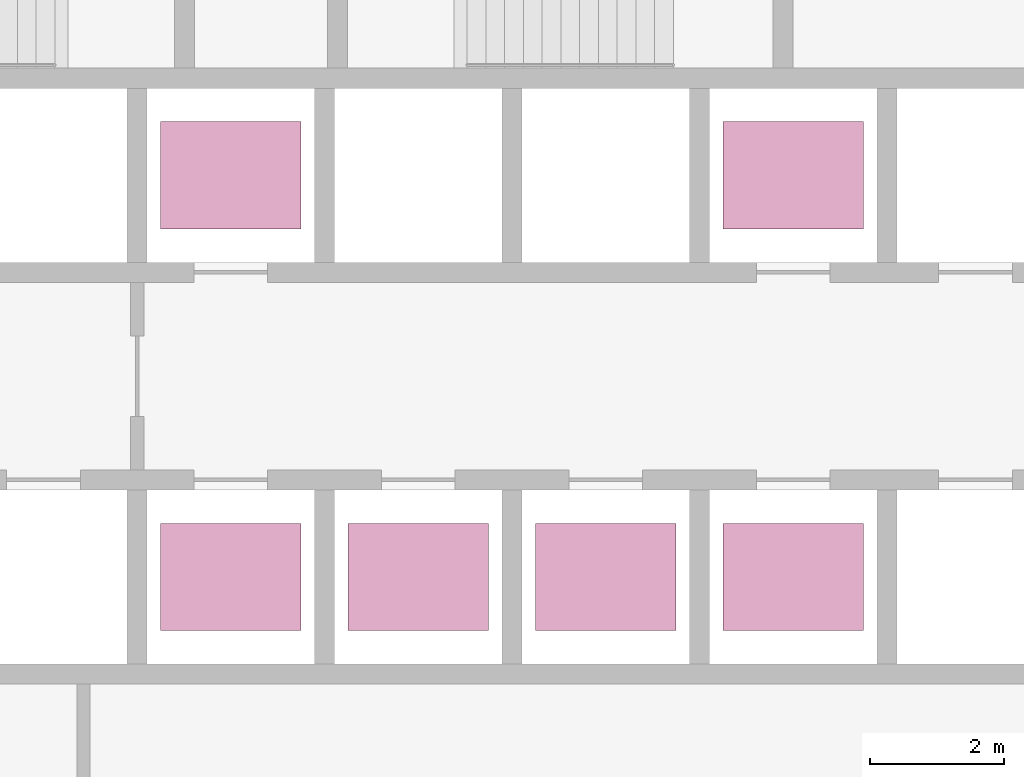
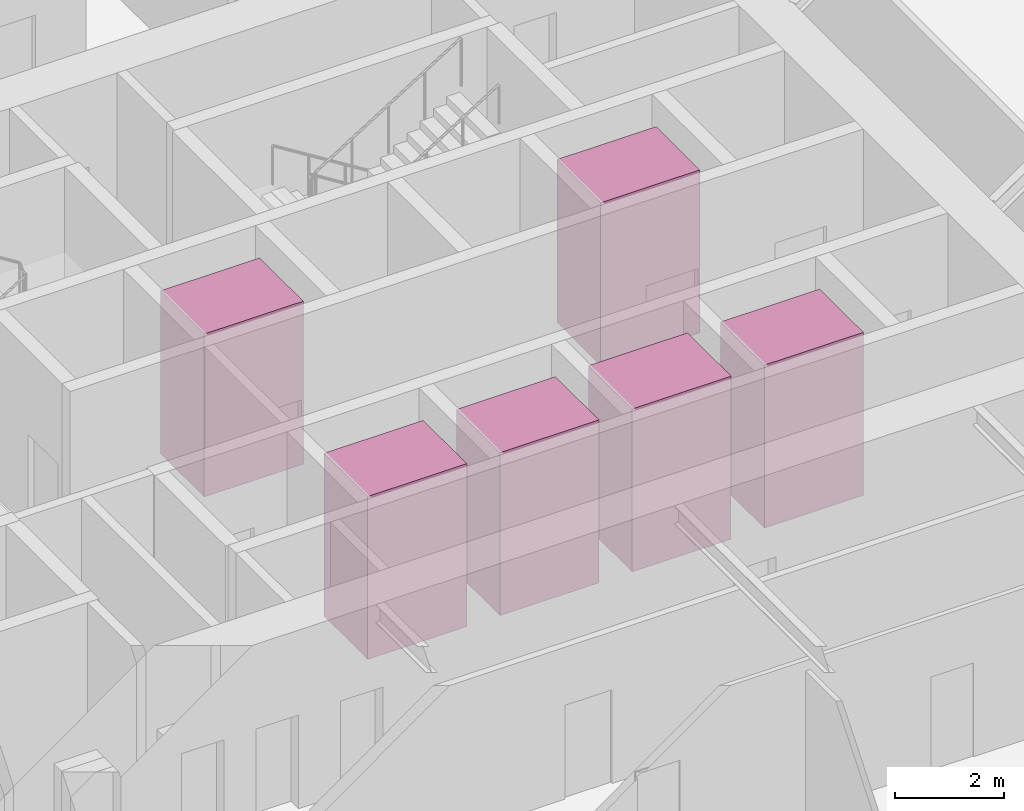
# One storey, part 26 of 26: 6 transport elements.
"""IFC4 building model written with IfcOpenShell, lengths in metres."""

from ifc_helpers import new_model, si_unit, direction, frame, origin, origin_2d, place, context, subcontext, project, spatial, rectangle, extrude, material, type_object, element, save


model = new_model("IFC4")

# Units and contexts
model_context = context("Model", 3, precision=1e-05, world=origin(), true_north=direction((0.0, 1.0)))
body_context = subcontext(model_context, "Body", "Model", "MODEL_VIEW")
ifc_project = project(units=[si_unit("LENGTHUNIT", "METRE"), si_unit("AREAUNIT", "SQUARE_METRE"), si_unit("VOLUMEUNIT", "CUBIC_METRE"), si_unit("PLANEANGLEUNIT", "RADIAN"), si_unit("MASSUNIT", "GRAM", prefix="KILO")], contexts=[model_context])

# Site, building, storey
site_placement = place(None, origin())
site = spatial("IfcSite", under=ifc_project, at=site_placement, CompositionType="ELEMENT")
building_placement = place(site_placement, origin())
building = spatial("IfcBuilding", under=site, at=building_placement, Name="Firuza Gate Tower and Library", CompositionType="ELEMENT")
storey_placement = place(building_placement, frame((0.0, 0.0, 77.800048828125)))
storey = spatial("IfcBuildingStorey", under=building, at=storey_placement, Name="L17", CompositionType="ELEMENT", Elevation=77.800048828125)

# Transport elements
ifc_material = material(Name="Stainless steel and glass", Category="steel")
transport_element_type = type_object("IfcTransportElementType", Name="Low-rise lift car 2100x1600", PredefinedType="ELEVATOR", material=ifc_material)
for number, where, z_axis, x_axis, name in (
    (1, (74.64990234375, 70.300048828125, 0.0), (0.0, 0.0, 1.0), (1.0, 0.0, 0.0), "Low-rise lift LR1"),
    (2, (77.449951171875, 70.300048828125, 0.0), (0.0, 0.0, 1.0), (1.0, 0.0, 0.0), "Low-rise lift LR2"),
    (3, (80.25, 70.300048828125, 0.0), (0.0, 0.0, 1.0), (1.0, 0.0, 0.0), "Low-rise lift LR3"),
    (4, (74.64990234375, 76.300048828125, 0.0), (0.0, 0.0, 1.0), (1.0, 0.0, 0.0), "Low-rise lift LR4"),
    (5, (83.050048828125, 70.300048828125, 0.0), (0.0, 0.0, 1.0), (1.0, 0.0, 0.0), "Low-rise lift LR5"),
    (6, (83.050048828125, 76.300048828125, 0.0), (0.0, 0.0, 1.0), (1.0, 0.0, 0.0), "Low-rise lift LR6"),
):
    element("IfcTransportElement", number, at=place(storey_placement, frame(where, z_axis=z_axis, x_axis=x_axis)), inside=storey, type_object=transport_element_type, Name=name, PredefinedType="ELEVATOR", context=body_context, shape_type="SweptSolid", body=[
        extrude(rectangle(XDim=2.10009765625, YDim=1.60009765625, at=origin_2d()), origin(), (0.0, 0.0, 1.0), 3.64990234375),
    ])

save(model, "model.ifc")
